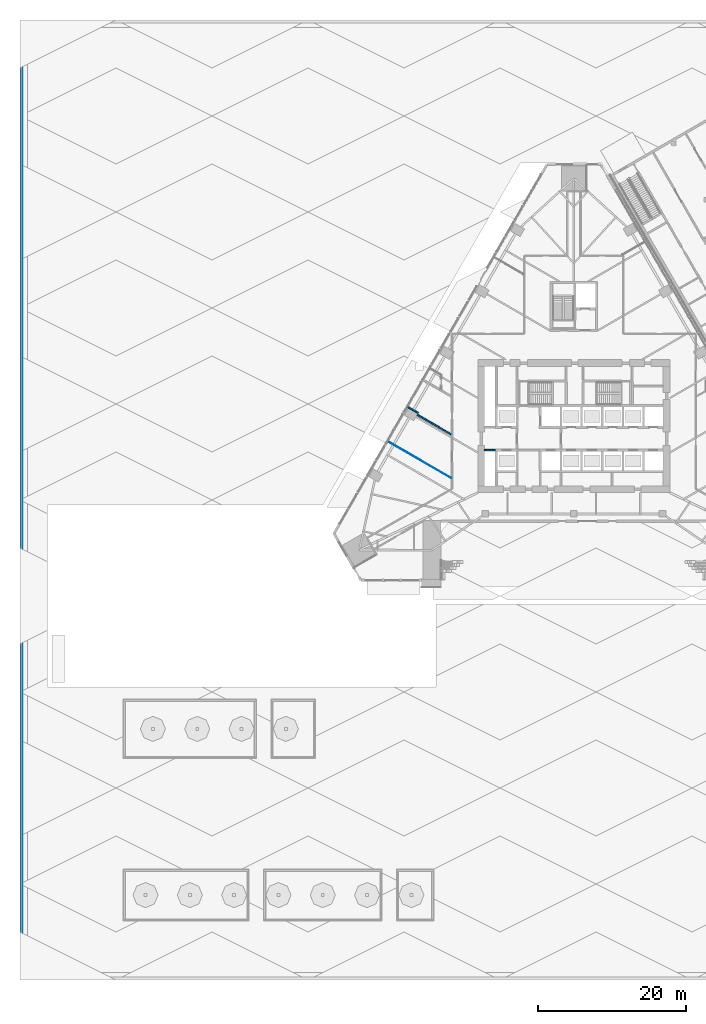
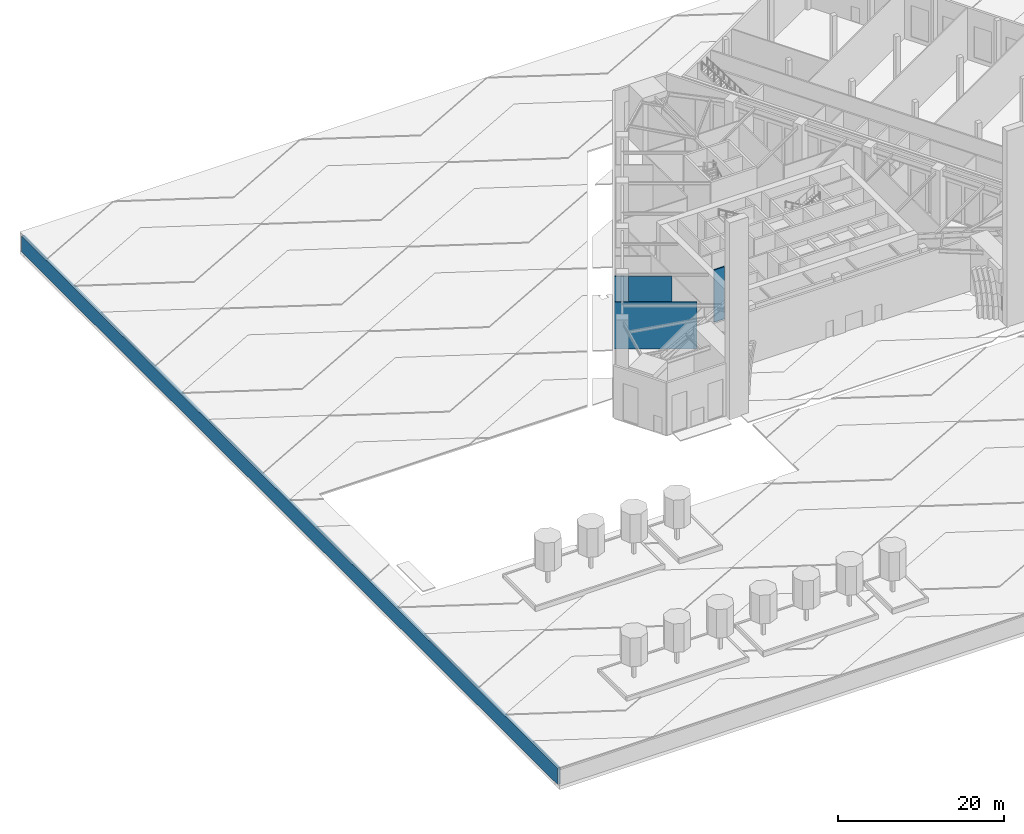
# One storey, part 11 of 34: 5 walls.
"""IFC4 building model written with IfcOpenShell, lengths in metres."""

from ifc_helpers import new_model, si_unit, direction, frame, frame_2d, origin, place, context, subcontext, project, spatial, rectangle, extrude, material, layer, layer_set, type_object, element, save


model = new_model("IFC4")

# Units and contexts
model_context = context("Model", 3, precision=1e-05, world=origin(), true_north=direction((0.0, 1.0)))
body_context = subcontext(model_context, "Body", "Model", "MODEL_VIEW")
ifc_project = project(units=[si_unit("LENGTHUNIT", "METRE"), si_unit("AREAUNIT", "SQUARE_METRE"), si_unit("VOLUMEUNIT", "CUBIC_METRE"), si_unit("PLANEANGLEUNIT", "RADIAN"), si_unit("MASSUNIT", "GRAM", prefix="KILO")], contexts=[model_context])

# Site, building, storey
site_placement = place(None, origin())
site = spatial("IfcSite", under=ifc_project, at=site_placement, CompositionType="ELEMENT")
building_placement = place(site_placement, origin())
building = spatial("IfcBuilding", under=site, at=building_placement, Name="Firuza Gate Tower and Library", CompositionType="ELEMENT")
storey_placement = place(building_placement, origin())
storey = spatial("IfcBuildingStorey", under=building, at=storey_placement, Name="L00", CompositionType="ELEMENT", Elevation=0.0)

# Walls
ifc_material_1 = material(Name="Plasterboard on steel studs", Category="steel")
ifc_layer_1 = layer(ifc_material_1, 0.199951171875)
ifc_layer_set_1 = layer_set([ifc_layer_1], Name="Core partition 200 EI 120")
wall_type_1 = type_object("IfcWallType", Name="Core partition 200 EI 120", PredefinedType="PARTITIONING", material=ifc_layer_set_1)
wall_1_placement = place(storey_placement, frame((62.89990234375, 71.75, 0.0), z_axis=(0.0, 0.0, 1.0), x_axis=(1.0, 0.0, 0.0)))
element("IfcWall", 1, at=wall_1_placement, inside=storey, type_object=wall_type_1, Name="Core partition L00 1", PredefinedType="PARTITIONING", context=body_context, shape_type="SweptSolid", body=[
    extrude(rectangle(XDim=1.4501953125, YDim=0.199951171875, at=frame_2d((0.72509765625, 0.0))), origin(), (0.0, 0.0, 1.0), 7.699951171875),
])
ifc_material_2 = material(Name="Gypsum board partition")
ifc_layer_2 = layer(ifc_material_2, 0.199951171875)
ifc_layer_set_2 = layer_set([ifc_layer_2], Name="Demising wall 200 acoustic double stud")
wall_type_2 = type_object("IfcWallType", Name="Demising wall 200 acoustic double stud", PredefinedType="PARTITIONING", material=ifc_layer_set_2)
wall_2_placement = place(storey_placement, frame((53.928466796875, 76.7734375, 0.0), z_axis=(0.0, 0.0, 1.0), x_axis=(-0.866026058841, 0.499998865407, 0.0)))
element("IfcWall", 2, at=wall_2_placement, inside=storey, type_object=wall_type_2, Name="f:L00:w034", PredefinedType="PARTITIONING", context=body_context, shape_type="SweptSolid", body=[
    extrude(rectangle(XDim=1.70751953125, YDim=0.199951171875, at=frame_2d((0.853759765625, 0.0))), origin(), (0.0, 0.0, 1.0), 6.864990234375),
])
wall_3_placement = place(storey_placement, frame((58.373046875, 73.9013671875, 0.0), z_axis=(0.0, 0.0, 1.0), x_axis=(-0.866022471755, 0.50000507839, 0.0)))
element("IfcWall", 3, at=wall_3_placement, inside=storey, type_object=wall_type_2, Name="f:L00:w035", PredefinedType="PARTITIONING", context=body_context, shape_type="SweptSolid", body=[
    extrude(rectangle(XDim=5.2841796875, YDim=0.199951171875, at=frame_2d((2.64208984375, 0.0))), origin(), (0.0, 0.0, 1.0), 7.10009765625),
])
ifc_material_3 = material(Name="Gypsum board partition")
ifc_layer_3 = layer(ifc_material_3, 0.10009765625)
ifc_layer_set_3 = layer_set([ifc_layer_3], Name="Partition 100 gypsum board on steel studs")
wall_type_3 = type_object("IfcWallType", Name="Partition 100 gypsum board on steel studs", PredefinedType="PARTITIONING", material=ifc_layer_set_3)
wall_4_placement = place(storey_placement, frame((58.399169921875, 67.95703125, 0.0), z_axis=(0.0, 0.0, 1.0), x_axis=(-0.866029270811, 0.499993302054, 0.0)))
element("IfcWall", 4, at=wall_4_placement, inside=storey, type_object=wall_type_3, Name="f:L00:w036", PredefinedType="PARTITIONING", context=body_context, shape_type="SweptSolid", body=[
    extrude(rectangle(XDim=9.987548828125, YDim=0.10009765625, at=frame_2d((4.99365234375, 0.0))), origin(), (0.0, 0.0, 1.0), 6.864990234375),
])
ifc_material_4 = material(Name="Concrete C40/50", Category="concrete")
ifc_layer_4 = layer(ifc_material_4, 0.39990234375)
ifc_layer_set_4 = layer_set([ifc_layer_4], Name="Plaza edge retaining wall 400 C40/50")
wall_type_4 = type_object("IfcWallType", Name="Plaza edge retaining wall 400 C40/50", PredefinedType="SOLIDWALL", material=ifc_layer_set_4)
wall_5_placement = place(storey_placement, frame((0.199951171875, 129.60009765625, -2.75), z_axis=(0.0, 0.0, 1.0), x_axis=(0.0, -1.0, 0.0)))
element("IfcWall", 5, at=wall_5_placement, inside=storey, type_object=wall_type_4, Name="Plaza edge retaining wall", PredefinedType="SOLIDWALL", context=body_context, shape_type="SweptSolid", body=[
    extrude(rectangle(XDim=129.2001953125, YDim=0.39990234375, at=frame_2d((64.60009765625, 0.0))), origin(), (0.0, 0.0, 1.0), 2.39990234375),
])

save(model, "model.ifc")
